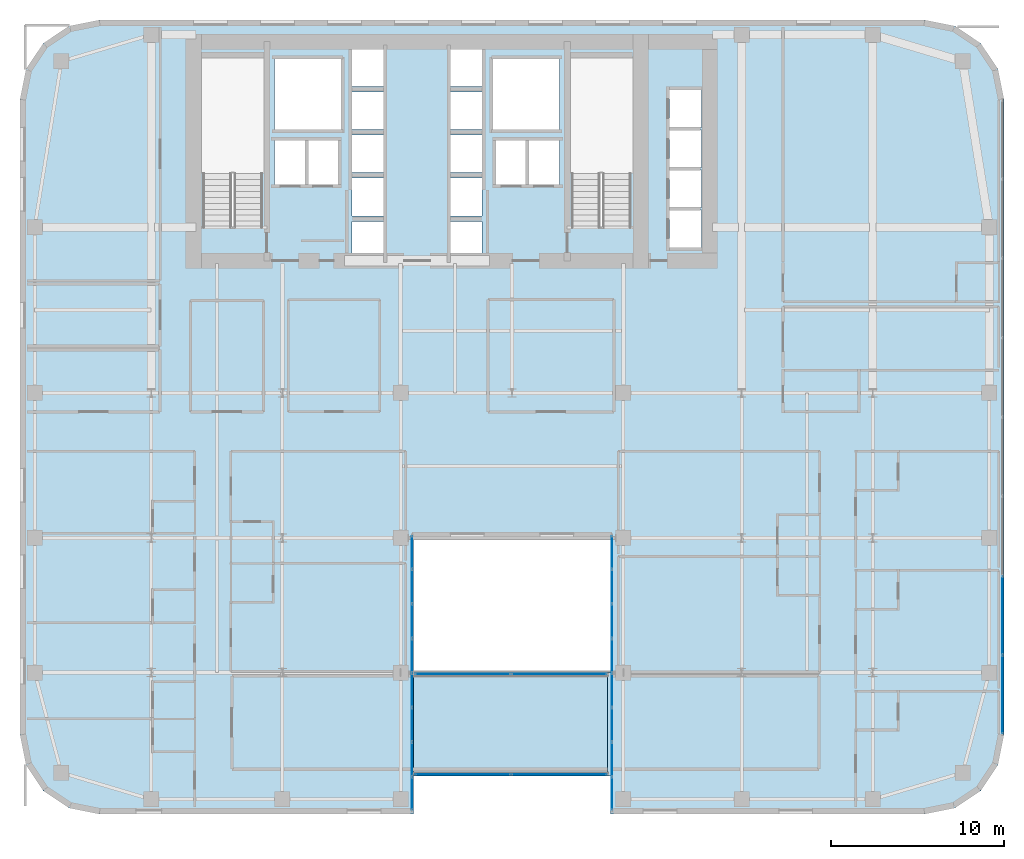
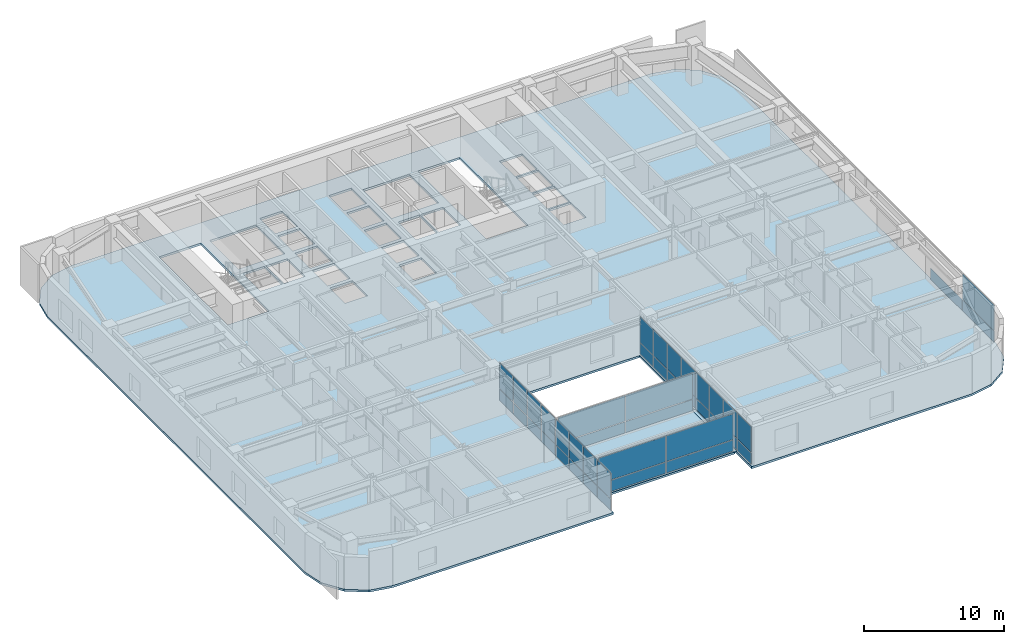
# One storey, part 15 of 25: 44 plates, 2 slabs, 5 elements without a shape of their own.
"""IFC4 building model written with IfcOpenShell, lengths in metres."""

from ifc_helpers import new_model, si_unit, direction, frame, origin, origin_2d, place, context, subcontext, project, spatial, polyline, rectangle, outline, extrude, source, transform, mapped, material, layer, layer_set, type_object, type_shapes, element, aggregate, save


model = new_model("IFC4")

# Units and contexts
model_context = context("Model", 3, precision=1e-05, world=origin(), true_north=direction((0.0, 1.0)))
body_context = subcontext(model_context, "Body", "Model", "MODEL_VIEW")
ifc_project = project(units=[si_unit("LENGTHUNIT", "METRE"), si_unit("AREAUNIT", "SQUARE_METRE"), si_unit("VOLUMEUNIT", "CUBIC_METRE"), si_unit("PLANEANGLEUNIT", "RADIAN"), si_unit("MASSUNIT", "GRAM", prefix="KILO")], contexts=[model_context])

# Site, building, storey
site_placement = place(None, origin())
site = spatial("IfcSite", under=ifc_project, at=site_placement, CompositionType="ELEMENT")
building_placement = place(site_placement, origin())
building = spatial("IfcBuilding", under=site, at=building_placement, Name="Tolvann Quenvar Hotel", CompositionType="ELEMENT")
storey_placement = place(building_placement, frame((0.0, 0.0, 78.14990234375)))
storey = spatial("IfcBuildingStorey", under=building, at=storey_placement, Name="L19", CompositionType="ELEMENT", Elevation=78.14990234375)

# Slabs
ifc_material_1 = material(Name="Concrete N40 (40 MPa)", Category="concrete")
ifc_layer_1 = layer(ifc_material_1, 0.179931640625)
ifc_layer_set_1 = layer_set([ifc_layer_1], Name="Concrete N40 (40 MPa)")
slab_type = type_object("IfcSlabType", Name="SLAB_TWR_180", PredefinedType="FLOOR", material=ifc_layer_set_1)
slab_1_placement = place(storey_placement, frame((0.0, 0.0, -0.179931640625)))
element("IfcSlab", 1, at=slab_1_placement, inside=storey, type_object=slab_type, Name="Level L19 Structural Floor Slab", PredefinedType="FLOOR", context=body_context, shape_type="SweptSolid", body=[
    extrude(outline(polyline([(0.0, 4.60009765625), (0.35009765625, 2.839599609375), (1.347412109375, 1.347412109375), (2.839599609375, 0.35009765625), (4.60009765625, 0.0), (22.800048828125, 0.0), (22.800048828125, 16.0), (34.199951171875, 16.0), (34.199951171875, 0.0), (52.39990234375, 0.0), (54.160400390625, 0.35009765625), (55.652587890625, 1.347412109375), (56.64990234375, 2.839599609375), (57.0, 4.60009765625), (57.0, 41.39990234375), (56.64990234375, 43.160400390625), (55.652587890625, 44.652587890625), (54.160400390625, 45.64990234375), (52.39990234375, 46.0), (4.60009765625, 46.0), (2.839599609375, 45.64990234375), (1.347412109375, 44.652587890625), (0.35009765625, 43.160400390625), (0.0, 41.39990234375), (0.0, 4.60009765625)]), holes=[polyline([(37.6298828125, 41.949951171875), (39.469970703125, 41.949951171875), (39.469970703125, 39.77001953125), (37.6298828125, 39.77001953125), (37.6298828125, 41.949951171875)]), polyline([(37.6298828125, 39.6298828125), (39.469970703125, 39.6298828125), (39.469970703125, 37.449951171875), (37.6298828125, 37.449951171875), (37.6298828125, 39.6298828125)]), polyline([(37.6298828125, 37.31005859375), (39.469970703125, 37.31005859375), (39.469970703125, 35.1298828125), (37.6298828125, 35.1298828125), (37.6298828125, 37.31005859375)]), polyline([(37.6298828125, 34.989990234375), (39.469970703125, 34.989990234375), (39.469970703125, 32.81005859375), (37.6298828125, 32.81005859375), (37.6298828125, 34.989990234375)]), polyline([(31.949951171875, 43.800048828125), (35.39990234375, 43.800048828125), (35.39990234375, 34.02490234375), (31.949951171875, 34.02490234375), (31.949951171875, 43.800048828125)]), polyline([(31.25, 39.02001953125), (31.25, 36.47998046875), (29.449951171875, 36.47998046875), (29.449951171875, 39.02001953125), (31.25, 39.02001953125)]), polyline([(31.25, 43.75), (31.25, 39.64990234375), (27.39990234375, 39.64990234375), (27.39990234375, 43.75), (31.25, 43.75)]), polyline([(27.574951171875, 39.02001953125), (29.324951171875, 39.02001953125), (29.324951171875, 36.47998046875), (27.574951171875, 36.47998046875), (27.574951171875, 39.02001953125)]), polyline([(26.77001953125, 36.840087890625), (26.77001953125, 34.659912109375), (24.929931640625, 34.659912109375), (24.929931640625, 36.840087890625), (26.77001953125, 36.840087890625)]), polyline([(26.77001953125, 44.340087890625), (26.77001953125, 42.159912109375), (24.929931640625, 42.159912109375), (24.929931640625, 44.340087890625), (26.77001953125, 44.340087890625)]), polyline([(26.77001953125, 41.840087890625), (26.77001953125, 39.659912109375), (24.929931640625, 39.659912109375), (24.929931640625, 41.840087890625), (26.77001953125, 41.840087890625)]), polyline([(26.77001953125, 39.340087890625), (26.77001953125, 37.159912109375), (24.929931640625, 37.159912109375), (24.929931640625, 39.340087890625), (26.77001953125, 39.340087890625)]), polyline([(24.929931640625, 34.340087890625), (26.77001953125, 34.340087890625), (26.77001953125, 32.159912109375), (24.929931640625, 32.159912109375), (24.929931640625, 34.340087890625)]), polyline([(21.070068359375, 44.340087890625), (21.070068359375, 42.159912109375), (19.22998046875, 42.159912109375), (19.22998046875, 44.340087890625), (21.070068359375, 44.340087890625)]), polyline([(19.22998046875, 41.840087890625), (21.070068359375, 41.840087890625), (21.070068359375, 39.659912109375), (19.22998046875, 39.659912109375), (19.22998046875, 41.840087890625)]), polyline([(21.070068359375, 39.340087890625), (21.070068359375, 37.159912109375), (19.22998046875, 37.159912109375), (19.22998046875, 39.340087890625), (21.070068359375, 39.340087890625)]), polyline([(19.22998046875, 36.840087890625), (21.070068359375, 36.840087890625), (21.070068359375, 34.659912109375), (19.22998046875, 34.659912109375), (19.22998046875, 36.840087890625)]), polyline([(19.22998046875, 34.340087890625), (21.070068359375, 34.340087890625), (21.070068359375, 32.159912109375), (19.22998046875, 32.159912109375), (19.22998046875, 34.340087890625)]), polyline([(18.60009765625, 43.75), (18.60009765625, 39.64990234375), (14.75, 39.64990234375), (14.75, 43.75), (18.60009765625, 43.75)]), polyline([(16.675048828125, 39.02001953125), (18.425048828125, 39.02001953125), (18.425048828125, 36.47998046875), (16.675048828125, 36.47998046875), (16.675048828125, 39.02001953125)]), polyline([(16.550048828125, 39.02001953125), (16.550048828125, 36.47998046875), (14.75, 36.47998046875), (14.75, 39.02001953125), (16.550048828125, 39.02001953125)]), polyline([(10.60009765625, 43.800048828125), (14.050048828125, 43.800048828125), (14.050048828125, 34.02490234375), (10.60009765625, 34.02490234375), (10.60009765625, 43.800048828125)])]), origin(), (0.0, 0.0, 1.0), 0.179931640625),
])
slab_2_placement = place(storey_placement, frame((0.0, 0.0, -0.179931640625)))
element("IfcSlab", 2, at=slab_2_placement, inside=storey, type_object=slab_type, Name="Level L19 Skybridge Deck Slab", PredefinedType="FLOOR", context=body_context, shape_type="SweptSolid", body=[
    extrude(outline(polyline([(22.800048828125, 2.199951171875), (34.080078125, 2.199951171875), (34.080078125, 8.199951171875), (22.800048828125, 8.199951171875), (22.800048828125, 2.199951171875)])), origin(), (0.0, 0.0, 1.0), 0.179931640625),
])

# Plate
ifc_material_2 = material(Name="Steel Grade 350", Category="steel")
ifc_layer_2 = layer(ifc_material_2, 0.02490234375)
ifc_layer_set_2 = layer_set([ifc_layer_2], Name="Steel Grade 350")
plate_type_1 = type_object("IfcPlateType", Name="PLT_MJ_6000", PredefinedType="SHEET", material=ifc_layer_set_2)
shared_shape_1 = source(origin(), body_context, "Body", "SweptSolid", [
    extrude(rectangle(XDim=0.239990234375, YDim=6.0, at=origin_2d()), origin(), (0.0, 0.0, 1.0), 0.02490234375),
])
type_shapes(plate_type_1, [shared_shape_1])
plate_1_placement = place(storey_placement, frame((34.139892578125, 5.199951171875, -0.02490234375), z_axis=(0.0, 0.0, 1.0), x_axis=(1.0, 0.0, 0.0)))
element("IfcPlate", 3, at=plate_1_placement, inside=storey, type_object=plate_type_1, Name="Skybridge Seismic Movement Joint Cover Plate (L19)", PredefinedType="SHEET", context=body_context, shape_type="MappedRepresentation", body=[
    mapped(shared_shape_1, transform((0.0, 0.0, 0.0), x_axis=(1.0, 0.0, 0.0), y_axis=(0.0, 1.0, 0.0), z_axis=(0.0, 0.0, 1.0), scale=1.0)),
])

# Curtain wall, plates
ifc_material_3 = material(Name="Thermally broken anodised architectural aluminium 6063-T6 and laminated low-E glass", Category="aluminium")
ifc_layer_3 = layer(ifc_material_3, 0.179931640625)
ifc_layer_set_3 = layer_set([ifc_layer_3], Name="Thermally broken anodised architectural aluminium 6063-T6 and laminated low-E glass")
curtain_wall_type_1 = type_object("IfcCurtainWallType", Name="CW_SYS_SLOT_03", PredefinedType="USERDEFINED", material=ifc_layer_set_3)
curtain_wall_1_placement = place(storey_placement, origin())
curtain_wall_1 = element("IfcCurtainWall", 4, at=curtain_wall_1_placement, inside=storey, type_object=curtain_wall_type_1, Name="Curtain Wall CW-SLOT-03 (CWR-L19-E05)", ObjectType="UNITISED CURTAIN WALL", PredefinedType="USERDEFINED")
ifc_material_4 = material(Name="Low-iron laminated double glazing with solar-control coating", Category="glass")
ifc_layer_4 = layer(ifc_material_4, 0.028076171875)
ifc_layer_set_4 = layer_set([ifc_layer_4], Name="Low-iron laminated double glazing with solar-control coating")
plate_type_2 = type_object("IfcPlateType", Name="CW_PAN_VISION_28", PredefinedType="CURTAIN_PANEL", material=ifc_layer_set_4)
shared_shape_2 = source(origin(), body_context, "Body", "SweptSolid", [
    extrude(rectangle(XDim=1.89501953125, YDim=0.028076171875, at=origin_2d()), origin(), (0.0, 0.0, 1.0), 0.9599609375),
])
plate_2_placement = place(storey_placement, frame((22.7099609375, 1.1923828125, 0.06005859375), z_axis=(0.0, 0.0, 1.0), x_axis=(0.0, 1.0, 0.0)))
plate_2 = element("IfcPlate", 5, at=plate_2_placement, type_object=plate_type_2, Name="CW-SLOT-03 panel 1.1", PredefinedType="CURTAIN_PANEL", context=body_context, shape_type="MappedRepresentation", body=[
    mapped(shared_shape_2, transform((0.0, 0.0, 0.0), x_axis=(1.0, 0.0, 0.0), y_axis=(0.0, 1.0, 0.0), z_axis=(0.0, 0.0, 1.0), scale=1.0)),
])
plate_3_placement = place(storey_placement, frame((22.7099609375, 15.157470703125, 0.06005859375), z_axis=(0.0, 0.0, 1.0), x_axis=(0.0, 1.0, 0.0)))
plate_3 = element("IfcPlate", 6, at=plate_3_placement, type_object=plate_type_2, Name="CW-SLOT-03 panel 8.1", PredefinedType="CURTAIN_PANEL", context=body_context, shape_type="MappedRepresentation", body=[
    mapped(shared_shape_2, transform((0.0, 0.0, 0.0), x_axis=(1.0, 0.0, 0.0), y_axis=(0.0, 1.0, 0.0), z_axis=(0.0, 0.0, 1.0), scale=1.0)),
])

curtain_wall_2_placement = place(storey_placement, origin())
curtain_wall_2 = element("IfcCurtainWall", 7, at=curtain_wall_2_placement, inside=storey, type_object=curtain_wall_type_1, Name="Curtain Wall CW-SLOT-03 (CWR-L19-E07)", ObjectType="UNITISED CURTAIN WALL", PredefinedType="USERDEFINED")
plate_4_placement = place(storey_placement, frame((34.2900390625, 15.157470703125, 0.06005859375), z_axis=(0.0, 0.0, 1.0), x_axis=(0.0, -1.0, 0.0)))
plate_4 = element("IfcPlate", 8, at=plate_4_placement, type_object=plate_type_2, Name="CW-SLOT-03 panel 1.1", PredefinedType="CURTAIN_PANEL", context=body_context, shape_type="MappedRepresentation", body=[
    mapped(shared_shape_2, transform((0.0, 0.0, 0.0), x_axis=(1.0, 0.0, 0.0), y_axis=(0.0, 1.0, 0.0), z_axis=(0.0, 0.0, 1.0), scale=1.0)),
])
plate_5_placement = place(storey_placement, frame((34.2900390625, 1.1923828125, 0.06005859375), z_axis=(0.0, 0.0, 1.0), x_axis=(0.0, -1.0, 0.0)))
plate_5 = element("IfcPlate", 9, at=plate_5_placement, type_object=plate_type_2, Name="CW-SLOT-03 panel 8.1", PredefinedType="CURTAIN_PANEL", context=body_context, shape_type="MappedRepresentation", body=[
    mapped(shared_shape_2, transform((0.0, 0.0, 0.0), x_axis=(1.0, 0.0, 0.0), y_axis=(0.0, 1.0, 0.0), z_axis=(0.0, 0.0, 1.0), scale=1.0)),
])

# Plate
shared_shape_3 = source(origin(), body_context, "Body", "SweptSolid", [
    extrude(rectangle(XDim=1.89501953125, YDim=0.028076171875, at=origin_2d()), origin(), (0.0, 0.0, 1.0), 2.22998046875),
])
plate_6_placement = place(storey_placement, frame((22.7099609375, 1.1923828125, 1.080078125), z_axis=(0.0, 0.0, 1.0), x_axis=(0.0, 1.0, 0.0)))
plate_6 = element("IfcPlate", 10, at=plate_6_placement, type_object=plate_type_2, Name="CW-SLOT-03 panel 1.2", PredefinedType="CURTAIN_PANEL", context=body_context, shape_type="MappedRepresentation", body=[
    mapped(shared_shape_3, transform((0.0, 0.0, 0.0), x_axis=(1.0, 0.0, 0.0), y_axis=(0.0, 1.0, 0.0), z_axis=(0.0, 0.0, 1.0), scale=1.0)),
])

plate_7_placement = place(storey_placement, frame((22.7099609375, 15.157470703125, 1.080078125), z_axis=(0.0, 0.0, 1.0), x_axis=(0.0, 1.0, 0.0)))
plate_7 = element("IfcPlate", 11, at=plate_7_placement, type_object=plate_type_2, Name="CW-SLOT-03 panel 8.2", PredefinedType="CURTAIN_PANEL", context=body_context, shape_type="MappedRepresentation", body=[
    mapped(shared_shape_3, transform((0.0, 0.0, 0.0), x_axis=(1.0, 0.0, 0.0), y_axis=(0.0, 1.0, 0.0), z_axis=(0.0, 0.0, 1.0), scale=1.0)),
])

plate_8_placement = place(storey_placement, frame((34.2900390625, 15.157470703125, 1.080078125), z_axis=(0.0, 0.0, 1.0), x_axis=(0.0, -1.0, 0.0)))
plate_8 = element("IfcPlate", 12, at=plate_8_placement, type_object=plate_type_2, Name="CW-SLOT-03 panel 1.2", PredefinedType="CURTAIN_PANEL", context=body_context, shape_type="MappedRepresentation", body=[
    mapped(shared_shape_3, transform((0.0, 0.0, 0.0), x_axis=(1.0, 0.0, 0.0), y_axis=(0.0, 1.0, 0.0), z_axis=(0.0, 0.0, 1.0), scale=1.0)),
])

plate_9_placement = place(storey_placement, frame((34.2900390625, 1.1923828125, 1.080078125), z_axis=(0.0, 0.0, 1.0), x_axis=(0.0, -1.0, 0.0)))
plate_9 = element("IfcPlate", 13, at=plate_9_placement, type_object=plate_type_2, Name="CW-SLOT-03 panel 8.2", PredefinedType="CURTAIN_PANEL", context=body_context, shape_type="MappedRepresentation", body=[
    mapped(shared_shape_3, transform((0.0, 0.0, 0.0), x_axis=(1.0, 0.0, 0.0), y_axis=(0.0, 1.0, 0.0), z_axis=(0.0, 0.0, 1.0), scale=1.0)),
])

shared_shape_4 = source(origin(), body_context, "Body", "SweptSolid", [
    extrude(rectangle(XDim=1.929931640625, YDim=0.028076171875, at=origin_2d()), origin(), (0.0, 0.0, 1.0), 0.9599609375),
])
plate_10_placement = place(storey_placement, frame((22.7099609375, 3.175048828125, 0.06005859375), z_axis=(0.0, 0.0, 1.0), x_axis=(0.0, 1.0, 0.0)))
plate_10 = element("IfcPlate", 14, at=plate_10_placement, type_object=plate_type_2, Name="CW-SLOT-03 panel 2.1", PredefinedType="CURTAIN_PANEL", context=body_context, shape_type="MappedRepresentation", body=[
    mapped(shared_shape_4, transform((0.0, 0.0, 0.0), x_axis=(1.0, 0.0, 0.0), y_axis=(0.0, 1.0, 0.0), z_axis=(0.0, 0.0, 1.0), scale=1.0)),
])

plate_11_placement = place(storey_placement, frame((22.7099609375, 5.175048828125, 0.06005859375), z_axis=(0.0, 0.0, 1.0), x_axis=(0.0, 1.0, 0.0)))
plate_11 = element("IfcPlate", 15, at=plate_11_placement, type_object=plate_type_2, Name="CW-SLOT-03 panel 3.1", PredefinedType="CURTAIN_PANEL", context=body_context, shape_type="MappedRepresentation", body=[
    mapped(shared_shape_4, transform((0.0, 0.0, 0.0), x_axis=(1.0, 0.0, 0.0), y_axis=(0.0, 1.0, 0.0), z_axis=(0.0, 0.0, 1.0), scale=1.0)),
])

plate_12_placement = place(storey_placement, frame((22.7099609375, 7.175048828125, 0.06005859375), z_axis=(0.0, 0.0, 1.0), x_axis=(0.0, 1.0, 0.0)))
plate_12 = element("IfcPlate", 16, at=plate_12_placement, type_object=plate_type_2, Name="CW-SLOT-03 panel 4.1", PredefinedType="CURTAIN_PANEL", context=body_context, shape_type="MappedRepresentation", body=[
    mapped(shared_shape_4, transform((0.0, 0.0, 0.0), x_axis=(1.0, 0.0, 0.0), y_axis=(0.0, 1.0, 0.0), z_axis=(0.0, 0.0, 1.0), scale=1.0)),
])

plate_13_placement = place(storey_placement, frame((22.7099609375, 9.175048828125, 0.06005859375), z_axis=(0.0, 0.0, 1.0), x_axis=(0.0, 1.0, 0.0)))
plate_13 = element("IfcPlate", 17, at=plate_13_placement, type_object=plate_type_2, Name="CW-SLOT-03 panel 5.1", PredefinedType="CURTAIN_PANEL", context=body_context, shape_type="MappedRepresentation", body=[
    mapped(shared_shape_4, transform((0.0, 0.0, 0.0), x_axis=(1.0, 0.0, 0.0), y_axis=(0.0, 1.0, 0.0), z_axis=(0.0, 0.0, 1.0), scale=1.0)),
])

plate_14_placement = place(storey_placement, frame((22.7099609375, 11.175048828125, 0.06005859375), z_axis=(0.0, 0.0, 1.0), x_axis=(0.0, 1.0, 0.0)))
plate_14 = element("IfcPlate", 18, at=plate_14_placement, type_object=plate_type_2, Name="CW-SLOT-03 panel 6.1", PredefinedType="CURTAIN_PANEL", context=body_context, shape_type="MappedRepresentation", body=[
    mapped(shared_shape_4, transform((0.0, 0.0, 0.0), x_axis=(1.0, 0.0, 0.0), y_axis=(0.0, 1.0, 0.0), z_axis=(0.0, 0.0, 1.0), scale=1.0)),
])

plate_15_placement = place(storey_placement, frame((22.7099609375, 13.175048828125, 0.06005859375), z_axis=(0.0, 0.0, 1.0), x_axis=(0.0, 1.0, 0.0)))
plate_15 = element("IfcPlate", 19, at=plate_15_placement, type_object=plate_type_2, Name="CW-SLOT-03 panel 7.1", PredefinedType="CURTAIN_PANEL", context=body_context, shape_type="MappedRepresentation", body=[
    mapped(shared_shape_4, transform((0.0, 0.0, 0.0), x_axis=(1.0, 0.0, 0.0), y_axis=(0.0, 1.0, 0.0), z_axis=(0.0, 0.0, 1.0), scale=1.0)),
])

plate_16_placement = place(storey_placement, frame((34.2900390625, 13.175048828125, 0.06005859375), z_axis=(0.0, 0.0, 1.0), x_axis=(0.0, -1.0, 0.0)))
plate_16 = element("IfcPlate", 20, at=plate_16_placement, type_object=plate_type_2, Name="CW-SLOT-03 panel 2.1", PredefinedType="CURTAIN_PANEL", context=body_context, shape_type="MappedRepresentation", body=[
    mapped(shared_shape_4, transform((0.0, 0.0, 0.0), x_axis=(1.0, 0.0, 0.0), y_axis=(0.0, 1.0, 0.0), z_axis=(0.0, 0.0, 1.0), scale=1.0)),
])

plate_17_placement = place(storey_placement, frame((34.2900390625, 11.175048828125, 0.06005859375), z_axis=(0.0, 0.0, 1.0), x_axis=(0.0, -1.0, 0.0)))
plate_17 = element("IfcPlate", 21, at=plate_17_placement, type_object=plate_type_2, Name="CW-SLOT-03 panel 3.1", PredefinedType="CURTAIN_PANEL", context=body_context, shape_type="MappedRepresentation", body=[
    mapped(shared_shape_4, transform((0.0, 0.0, 0.0), x_axis=(1.0, 0.0, 0.0), y_axis=(0.0, 1.0, 0.0), z_axis=(0.0, 0.0, 1.0), scale=1.0)),
])

plate_18_placement = place(storey_placement, frame((34.2900390625, 9.175048828125, 0.06005859375), z_axis=(0.0, 0.0, 1.0), x_axis=(0.0, -1.0, 0.0)))
plate_18 = element("IfcPlate", 22, at=plate_18_placement, type_object=plate_type_2, Name="CW-SLOT-03 panel 4.1", PredefinedType="CURTAIN_PANEL", context=body_context, shape_type="MappedRepresentation", body=[
    mapped(shared_shape_4, transform((0.0, 0.0, 0.0), x_axis=(1.0, 0.0, 0.0), y_axis=(0.0, 1.0, 0.0), z_axis=(0.0, 0.0, 1.0), scale=1.0)),
])

plate_19_placement = place(storey_placement, frame((34.2900390625, 7.175048828125, 0.06005859375), z_axis=(0.0, 0.0, 1.0), x_axis=(0.0, -1.0, 0.0)))
plate_19 = element("IfcPlate", 23, at=plate_19_placement, type_object=plate_type_2, Name="CW-SLOT-03 panel 5.1", PredefinedType="CURTAIN_PANEL", context=body_context, shape_type="MappedRepresentation", body=[
    mapped(shared_shape_4, transform((0.0, 0.0, 0.0), x_axis=(1.0, 0.0, 0.0), y_axis=(0.0, 1.0, 0.0), z_axis=(0.0, 0.0, 1.0), scale=1.0)),
])

plate_20_placement = place(storey_placement, frame((34.2900390625, 5.175048828125, 0.06005859375), z_axis=(0.0, 0.0, 1.0), x_axis=(0.0, -1.0, 0.0)))
plate_20 = element("IfcPlate", 24, at=plate_20_placement, type_object=plate_type_2, Name="CW-SLOT-03 panel 6.1", PredefinedType="CURTAIN_PANEL", context=body_context, shape_type="MappedRepresentation", body=[
    mapped(shared_shape_4, transform((0.0, 0.0, 0.0), x_axis=(1.0, 0.0, 0.0), y_axis=(0.0, 1.0, 0.0), z_axis=(0.0, 0.0, 1.0), scale=1.0)),
])

plate_21_placement = place(storey_placement, frame((34.2900390625, 3.175048828125, 0.06005859375), z_axis=(0.0, 0.0, 1.0), x_axis=(0.0, -1.0, 0.0)))
plate_21 = element("IfcPlate", 25, at=plate_21_placement, type_object=plate_type_2, Name="CW-SLOT-03 panel 7.1", PredefinedType="CURTAIN_PANEL", context=body_context, shape_type="MappedRepresentation", body=[
    mapped(shared_shape_4, transform((0.0, 0.0, 0.0), x_axis=(1.0, 0.0, 0.0), y_axis=(0.0, 1.0, 0.0), z_axis=(0.0, 0.0, 1.0), scale=1.0)),
])

shared_shape_5 = source(origin(), body_context, "Body", "SweptSolid", [
    extrude(rectangle(XDim=1.929931640625, YDim=0.028076171875, at=origin_2d()), origin(), (0.0, 0.0, 1.0), 2.22998046875),
])
plate_22_placement = place(storey_placement, frame((22.7099609375, 3.175048828125, 1.080078125), z_axis=(0.0, 0.0, 1.0), x_axis=(0.0, 1.0, 0.0)))
plate_22 = element("IfcPlate", 26, at=plate_22_placement, type_object=plate_type_2, Name="CW-SLOT-03 panel 2.2", PredefinedType="CURTAIN_PANEL", context=body_context, shape_type="MappedRepresentation", body=[
    mapped(shared_shape_5, transform((0.0, 0.0, 0.0), x_axis=(1.0, 0.0, 0.0), y_axis=(0.0, 1.0, 0.0), z_axis=(0.0, 0.0, 1.0), scale=1.0)),
])

plate_23_placement = place(storey_placement, frame((22.7099609375, 5.175048828125, 1.080078125), z_axis=(0.0, 0.0, 1.0), x_axis=(0.0, 1.0, 0.0)))
plate_23 = element("IfcPlate", 27, at=plate_23_placement, type_object=plate_type_2, Name="CW-SLOT-03 panel 3.2", PredefinedType="CURTAIN_PANEL", context=body_context, shape_type="MappedRepresentation", body=[
    mapped(shared_shape_5, transform((0.0, 0.0, 0.0), x_axis=(1.0, 0.0, 0.0), y_axis=(0.0, 1.0, 0.0), z_axis=(0.0, 0.0, 1.0), scale=1.0)),
])

plate_24_placement = place(storey_placement, frame((22.7099609375, 7.175048828125, 1.080078125), z_axis=(0.0, 0.0, 1.0), x_axis=(0.0, 1.0, 0.0)))
plate_24 = element("IfcPlate", 28, at=plate_24_placement, type_object=plate_type_2, Name="CW-SLOT-03 panel 4.2", PredefinedType="CURTAIN_PANEL", context=body_context, shape_type="MappedRepresentation", body=[
    mapped(shared_shape_5, transform((0.0, 0.0, 0.0), x_axis=(1.0, 0.0, 0.0), y_axis=(0.0, 1.0, 0.0), z_axis=(0.0, 0.0, 1.0), scale=1.0)),
])

plate_25_placement = place(storey_placement, frame((22.7099609375, 9.175048828125, 1.080078125), z_axis=(0.0, 0.0, 1.0), x_axis=(0.0, 1.0, 0.0)))
plate_25 = element("IfcPlate", 29, at=plate_25_placement, type_object=plate_type_2, Name="CW-SLOT-03 panel 5.2", PredefinedType="CURTAIN_PANEL", context=body_context, shape_type="MappedRepresentation", body=[
    mapped(shared_shape_5, transform((0.0, 0.0, 0.0), x_axis=(1.0, 0.0, 0.0), y_axis=(0.0, 1.0, 0.0), z_axis=(0.0, 0.0, 1.0), scale=1.0)),
])

plate_26_placement = place(storey_placement, frame((22.7099609375, 11.175048828125, 1.080078125), z_axis=(0.0, 0.0, 1.0), x_axis=(0.0, 1.0, 0.0)))
plate_26 = element("IfcPlate", 30, at=plate_26_placement, type_object=plate_type_2, Name="CW-SLOT-03 panel 6.2", PredefinedType="CURTAIN_PANEL", context=body_context, shape_type="MappedRepresentation", body=[
    mapped(shared_shape_5, transform((0.0, 0.0, 0.0), x_axis=(1.0, 0.0, 0.0), y_axis=(0.0, 1.0, 0.0), z_axis=(0.0, 0.0, 1.0), scale=1.0)),
])

plate_27_placement = place(storey_placement, frame((22.7099609375, 13.175048828125, 1.080078125), z_axis=(0.0, 0.0, 1.0), x_axis=(0.0, 1.0, 0.0)))
plate_27 = element("IfcPlate", 31, at=plate_27_placement, type_object=plate_type_2, Name="CW-SLOT-03 panel 7.2", PredefinedType="CURTAIN_PANEL", context=body_context, shape_type="MappedRepresentation", body=[
    mapped(shared_shape_5, transform((0.0, 0.0, 0.0), x_axis=(1.0, 0.0, 0.0), y_axis=(0.0, 1.0, 0.0), z_axis=(0.0, 0.0, 1.0), scale=1.0)),
])

aggregate(curtain_wall_1, [plate_2, plate_6, plate_10, plate_22, plate_11, plate_23, plate_12, plate_24, plate_13, plate_25, plate_14, plate_26, plate_15, plate_27, plate_3, plate_7])

plate_28_placement = place(storey_placement, frame((34.2900390625, 13.175048828125, 1.080078125), z_axis=(0.0, 0.0, 1.0), x_axis=(0.0, -1.0, 0.0)))
plate_28 = element("IfcPlate", 32, at=plate_28_placement, type_object=plate_type_2, Name="CW-SLOT-03 panel 2.2", PredefinedType="CURTAIN_PANEL", context=body_context, shape_type="MappedRepresentation", body=[
    mapped(shared_shape_5, transform((0.0, 0.0, 0.0), x_axis=(1.0, 0.0, 0.0), y_axis=(0.0, 1.0, 0.0), z_axis=(0.0, 0.0, 1.0), scale=1.0)),
])

plate_29_placement = place(storey_placement, frame((34.2900390625, 11.175048828125, 1.080078125), z_axis=(0.0, 0.0, 1.0), x_axis=(0.0, -1.0, 0.0)))
plate_29 = element("IfcPlate", 33, at=plate_29_placement, type_object=plate_type_2, Name="CW-SLOT-03 panel 3.2", PredefinedType="CURTAIN_PANEL", context=body_context, shape_type="MappedRepresentation", body=[
    mapped(shared_shape_5, transform((0.0, 0.0, 0.0), x_axis=(1.0, 0.0, 0.0), y_axis=(0.0, 1.0, 0.0), z_axis=(0.0, 0.0, 1.0), scale=1.0)),
])

plate_30_placement = place(storey_placement, frame((34.2900390625, 9.175048828125, 1.080078125), z_axis=(0.0, 0.0, 1.0), x_axis=(0.0, -1.0, 0.0)))
plate_30 = element("IfcPlate", 34, at=plate_30_placement, type_object=plate_type_2, Name="CW-SLOT-03 panel 4.2", PredefinedType="CURTAIN_PANEL", context=body_context, shape_type="MappedRepresentation", body=[
    mapped(shared_shape_5, transform((0.0, 0.0, 0.0), x_axis=(1.0, 0.0, 0.0), y_axis=(0.0, 1.0, 0.0), z_axis=(0.0, 0.0, 1.0), scale=1.0)),
])

plate_31_placement = place(storey_placement, frame((34.2900390625, 7.175048828125, 1.080078125), z_axis=(0.0, 0.0, 1.0), x_axis=(0.0, -1.0, 0.0)))
plate_31 = element("IfcPlate", 35, at=plate_31_placement, type_object=plate_type_2, Name="CW-SLOT-03 panel 5.2", PredefinedType="CURTAIN_PANEL", context=body_context, shape_type="MappedRepresentation", body=[
    mapped(shared_shape_5, transform((0.0, 0.0, 0.0), x_axis=(1.0, 0.0, 0.0), y_axis=(0.0, 1.0, 0.0), z_axis=(0.0, 0.0, 1.0), scale=1.0)),
])

plate_32_placement = place(storey_placement, frame((34.2900390625, 5.175048828125, 1.080078125), z_axis=(0.0, 0.0, 1.0), x_axis=(0.0, -1.0, 0.0)))
plate_32 = element("IfcPlate", 36, at=plate_32_placement, type_object=plate_type_2, Name="CW-SLOT-03 panel 6.2", PredefinedType="CURTAIN_PANEL", context=body_context, shape_type="MappedRepresentation", body=[
    mapped(shared_shape_5, transform((0.0, 0.0, 0.0), x_axis=(1.0, 0.0, 0.0), y_axis=(0.0, 1.0, 0.0), z_axis=(0.0, 0.0, 1.0), scale=1.0)),
])

plate_33_placement = place(storey_placement, frame((34.2900390625, 3.175048828125, 1.080078125), z_axis=(0.0, 0.0, 1.0), x_axis=(0.0, -1.0, 0.0)))
plate_33 = element("IfcPlate", 37, at=plate_33_placement, type_object=plate_type_2, Name="CW-SLOT-03 panel 7.2", PredefinedType="CURTAIN_PANEL", context=body_context, shape_type="MappedRepresentation", body=[
    mapped(shared_shape_5, transform((0.0, 0.0, 0.0), x_axis=(1.0, 0.0, 0.0), y_axis=(0.0, 1.0, 0.0), z_axis=(0.0, 0.0, 1.0), scale=1.0)),
])

aggregate(curtain_wall_2, [plate_4, plate_8, plate_16, plate_28, plate_17, plate_29, plate_18, plate_30, plate_19, plate_31, plate_20, plate_32, plate_21, plate_33, plate_5, plate_9])

# Curtain wall, plates
ifc_layer_5 = layer(ifc_material_3, 0.179931640625)
ifc_layer_set_5 = layer_set([ifc_layer_5], Name="Thermally broken anodised architectural aluminium 6063-T6 and laminated low-E glass")
curtain_wall_type_2 = type_object("IfcCurtainWallType", Name="CW_SYS_BAND_04", PredefinedType="USERDEFINED", material=ifc_layer_set_5)
curtain_wall_3_placement = place(storey_placement, origin())
curtain_wall_3 = element("IfcCurtainWall", 38, at=curtain_wall_3_placement, inside=storey, type_object=curtain_wall_type_2, Name="Curtain Wall CW-BAND-04 (CWR-L19-E13)", ObjectType="UNITISED CURTAIN WALL", PredefinedType="USERDEFINED")
shared_shape_6 = source(origin(), body_context, "Body", "SweptSolid", [
    extrude(rectangle(XDim=4.49072265625, YDim=0.028076171875, at=origin_2d()), origin(), (0.0, 0.0, 1.0), 0.9599609375),
])
plate_34_placement = place(storey_placement, frame((56.909912109375, 6.9326171875, 0.06005859375), z_axis=(0.0, 0.0, 1.0), x_axis=(0.0, 1.0, 0.0)))
plate_34 = element("IfcPlate", 39, at=plate_34_placement, type_object=plate_type_2, Name="CW-BAND-04 panel 1.1", PredefinedType="CURTAIN_PANEL", context=body_context, shape_type="MappedRepresentation", body=[
    mapped(shared_shape_6, transform((0.0, 0.0, 0.0), x_axis=(1.0, 0.0, 0.0), y_axis=(0.0, 1.0, 0.0), z_axis=(0.0, 0.0, 1.0), scale=1.0)),
])
shared_shape_7 = source(origin(), body_context, "Body", "SweptSolid", [
    extrude(rectangle(XDim=4.49072265625, YDim=0.028076171875, at=origin_2d()), origin(), (0.0, 0.0, 1.0), 2.22998046875),
])
plate_35_placement = place(storey_placement, frame((56.909912109375, 6.9326171875, 1.080078125), z_axis=(0.0, 0.0, 1.0), x_axis=(0.0, 1.0, 0.0)))
plate_35 = element("IfcPlate", 40, at=plate_35_placement, type_object=plate_type_2, Name="CW-BAND-04 panel 1.2", PredefinedType="CURTAIN_PANEL", context=body_context, shape_type="MappedRepresentation", body=[
    mapped(shared_shape_7, transform((0.0, 0.0, 0.0), x_axis=(1.0, 0.0, 0.0), y_axis=(0.0, 1.0, 0.0), z_axis=(0.0, 0.0, 1.0), scale=1.0)),
])
shared_shape_8 = source(origin(), body_context, "Body", "SweptSolid", [
    extrude(rectangle(XDim=4.525634765625, YDim=0.028076171875, at=origin_2d()), origin(), (0.0, 0.0, 1.0), 0.9599609375),
])
plate_36_placement = place(storey_placement, frame((56.909912109375, 11.5107421875, 0.06005859375), z_axis=(0.0, 0.0, 1.0), x_axis=(0.0, 1.0, 0.0)))
plate_36 = element("IfcPlate", 41, at=plate_36_placement, type_object=plate_type_2, Name="CW-BAND-04 panel 2.1", PredefinedType="CURTAIN_PANEL", context=body_context, shape_type="MappedRepresentation", body=[
    mapped(shared_shape_8, transform((0.0, 0.0, 0.0), x_axis=(1.0, 0.0, 0.0), y_axis=(0.0, 1.0, 0.0), z_axis=(0.0, 0.0, 1.0), scale=1.0)),
])
aggregate(curtain_wall_3, [plate_34, plate_35, plate_36])

curtain_wall_4_placement = place(storey_placement, origin())
curtain_wall_4 = element("IfcCurtainWall", 42, at=curtain_wall_4_placement, inside=storey, type_object=curtain_wall_type_1, Name="Curtain Wall CW-SLOT-03 (CWR-BRG-L19-S)", ObjectType="UNITISED CURTAIN WALL", PredefinedType="USERDEFINED")
shared_shape_9 = source(origin(), body_context, "Body", "SweptSolid", [
    extrude(rectangle(XDim=5.514892578125, YDim=0.028076171875, at=origin_2d()), origin(), (0.0, 0.0, 1.0), 0.9599609375),
])
plate_37_placement = place(storey_placement, frame((25.6474609375, 2.2900390625, 0.06005859375), z_axis=(0.0, 0.0, 1.0), x_axis=(1.0, 0.0, 0.0)))
plate_37 = element("IfcPlate", 43, at=plate_37_placement, type_object=plate_type_2, Name="CW-SLOT-03 panel 1.1", PredefinedType="CURTAIN_PANEL", context=body_context, shape_type="MappedRepresentation", body=[
    mapped(shared_shape_9, transform((0.0, 0.0, 0.0), x_axis=(1.0, 0.0, 0.0), y_axis=(0.0, 1.0, 0.0), z_axis=(0.0, 0.0, 1.0), scale=1.0)),
])
plate_38_placement = place(storey_placement, frame((31.232421875, 2.2900390625, 0.06005859375), z_axis=(0.0, 0.0, 1.0), x_axis=(1.0, 0.0, 0.0)))
plate_38 = element("IfcPlate", 44, at=plate_38_placement, type_object=plate_type_2, Name="CW-SLOT-03 panel 2.1", PredefinedType="CURTAIN_PANEL", context=body_context, shape_type="MappedRepresentation", body=[
    mapped(shared_shape_9, transform((0.0, 0.0, 0.0), x_axis=(1.0, 0.0, 0.0), y_axis=(0.0, 1.0, 0.0), z_axis=(0.0, 0.0, 1.0), scale=1.0)),
])

curtain_wall_5_placement = place(storey_placement, origin())
curtain_wall_5 = element("IfcCurtainWall", 45, at=curtain_wall_5_placement, inside=storey, type_object=curtain_wall_type_1, Name="Curtain Wall CW-SLOT-03 (CWR-BRG-L19-N)", ObjectType="UNITISED CURTAIN WALL", PredefinedType="USERDEFINED")
plate_39_placement = place(storey_placement, frame((31.232421875, 8.110107421875, 0.06005859375), z_axis=(0.0, 0.0, 1.0), x_axis=(-1.0, 0.0, 0.0)))
plate_39 = element("IfcPlate", 46, at=plate_39_placement, type_object=plate_type_2, Name="CW-SLOT-03 panel 1.1", PredefinedType="CURTAIN_PANEL", context=body_context, shape_type="MappedRepresentation", body=[
    mapped(shared_shape_9, transform((0.0, 0.0, 0.0), x_axis=(1.0, 0.0, 0.0), y_axis=(0.0, 1.0, 0.0), z_axis=(0.0, 0.0, 1.0), scale=1.0)),
])
plate_40_placement = place(storey_placement, frame((25.6474609375, 8.110107421875, 0.06005859375), z_axis=(0.0, 0.0, 1.0), x_axis=(-1.0, 0.0, 0.0)))
plate_40 = element("IfcPlate", 47, at=plate_40_placement, type_object=plate_type_2, Name="CW-SLOT-03 panel 2.1", PredefinedType="CURTAIN_PANEL", context=body_context, shape_type="MappedRepresentation", body=[
    mapped(shared_shape_9, transform((0.0, 0.0, 0.0), x_axis=(1.0, 0.0, 0.0), y_axis=(0.0, 1.0, 0.0), z_axis=(0.0, 0.0, 1.0), scale=1.0)),
])

# Plate
shared_shape_10 = source(origin(), body_context, "Body", "SweptSolid", [
    extrude(rectangle(XDim=5.514892578125, YDim=0.028076171875, at=origin_2d()), origin(), (0.0, 0.0, 1.0), 2.22998046875),
])
type_shapes(plate_type_2, [shared_shape_2, shared_shape_3, shared_shape_4, shared_shape_5, shared_shape_6, shared_shape_7, shared_shape_8, shared_shape_9, shared_shape_10])
plate_41_placement = place(storey_placement, frame((25.6474609375, 2.2900390625, 1.080078125), z_axis=(0.0, 0.0, 1.0), x_axis=(1.0, 0.0, 0.0)))
plate_41 = element("IfcPlate", 48, at=plate_41_placement, type_object=plate_type_2, Name="CW-SLOT-03 panel 1.2", PredefinedType="CURTAIN_PANEL", context=body_context, shape_type="MappedRepresentation", body=[
    mapped(shared_shape_10, transform((0.0, 0.0, 0.0), x_axis=(1.0, 0.0, 0.0), y_axis=(0.0, 1.0, 0.0), z_axis=(0.0, 0.0, 1.0), scale=1.0)),
])

plate_42_placement = place(storey_placement, frame((31.232421875, 2.2900390625, 1.080078125), z_axis=(0.0, 0.0, 1.0), x_axis=(1.0, 0.0, 0.0)))
plate_42 = element("IfcPlate", 49, at=plate_42_placement, type_object=plate_type_2, Name="CW-SLOT-03 panel 2.2", PredefinedType="CURTAIN_PANEL", context=body_context, shape_type="MappedRepresentation", body=[
    mapped(shared_shape_10, transform((0.0, 0.0, 0.0), x_axis=(1.0, 0.0, 0.0), y_axis=(0.0, 1.0, 0.0), z_axis=(0.0, 0.0, 1.0), scale=1.0)),
])

aggregate(curtain_wall_4, [plate_37, plate_41, plate_38, plate_42])

plate_43_placement = place(storey_placement, frame((31.232421875, 8.110107421875, 1.080078125), z_axis=(0.0, 0.0, 1.0), x_axis=(-1.0, 0.0, 0.0)))
plate_43 = element("IfcPlate", 50, at=plate_43_placement, type_object=plate_type_2, Name="CW-SLOT-03 panel 1.2", PredefinedType="CURTAIN_PANEL", context=body_context, shape_type="MappedRepresentation", body=[
    mapped(shared_shape_10, transform((0.0, 0.0, 0.0), x_axis=(1.0, 0.0, 0.0), y_axis=(0.0, 1.0, 0.0), z_axis=(0.0, 0.0, 1.0), scale=1.0)),
])

plate_44_placement = place(storey_placement, frame((25.6474609375, 8.110107421875, 1.080078125), z_axis=(0.0, 0.0, 1.0), x_axis=(-1.0, 0.0, 0.0)))
plate_44 = element("IfcPlate", 51, at=plate_44_placement, type_object=plate_type_2, Name="CW-SLOT-03 panel 2.2", PredefinedType="CURTAIN_PANEL", context=body_context, shape_type="MappedRepresentation", body=[
    mapped(shared_shape_10, transform((0.0, 0.0, 0.0), x_axis=(1.0, 0.0, 0.0), y_axis=(0.0, 1.0, 0.0), z_axis=(0.0, 0.0, 1.0), scale=1.0)),
])

aggregate(curtain_wall_5, [plate_39, plate_43, plate_40, plate_44])

save(model, "model.ifc")
